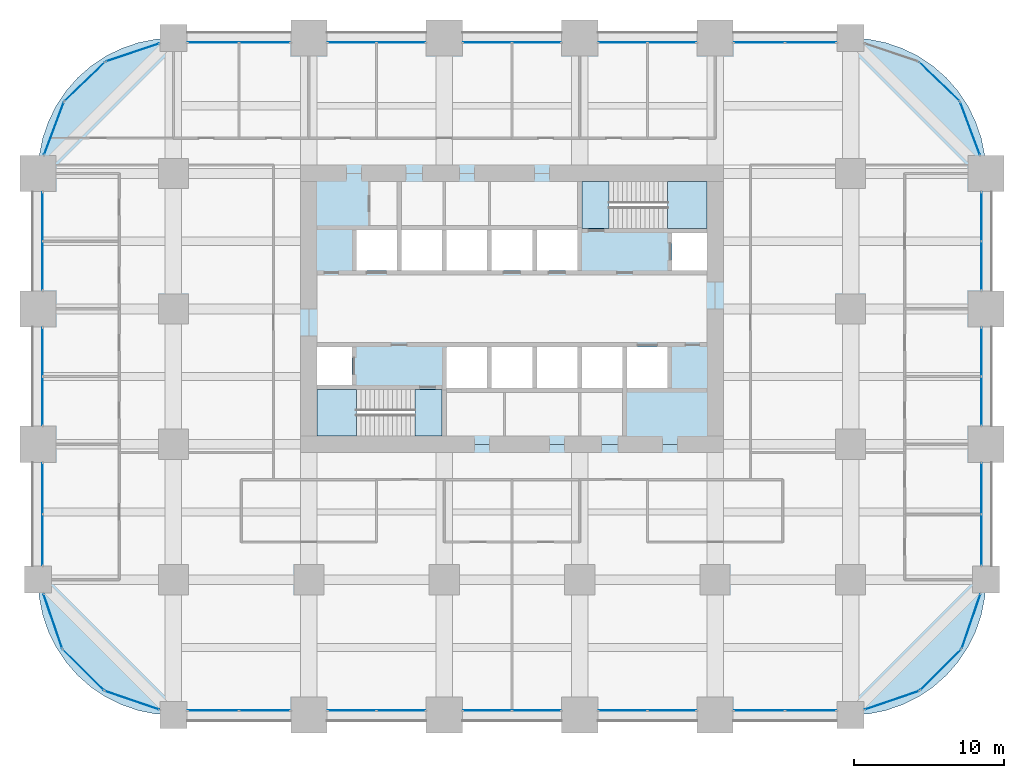
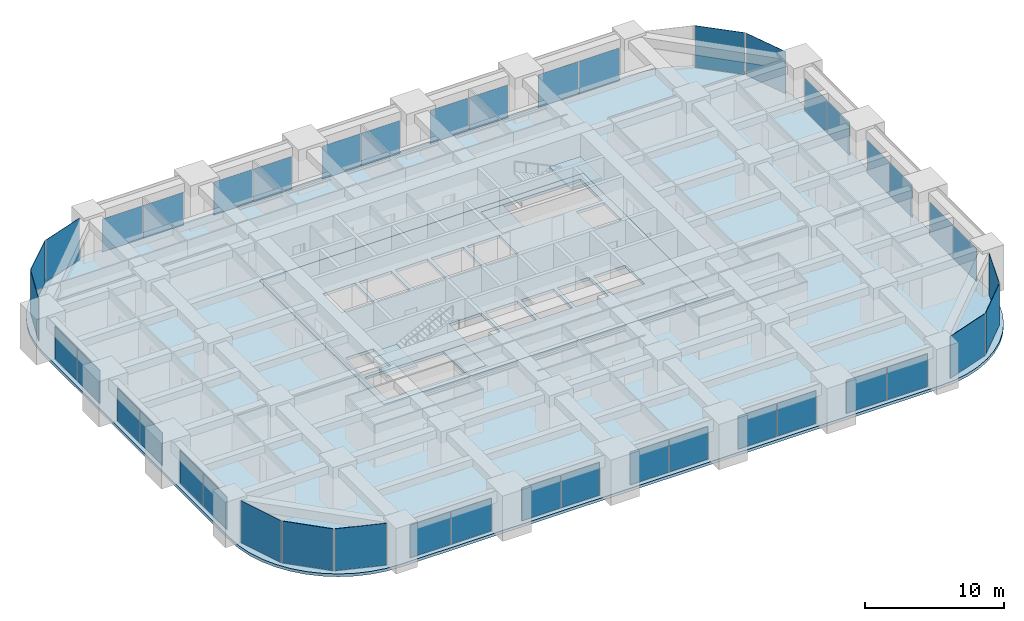
# One storey, part 35 of 41: 43 plates, 6 slabs, 29 elements without a shape of their own.
"""IFC4 building model written with IfcOpenShell, lengths in metres."""

from ifc_helpers import new_model, si_unit, direction, frame, origin, origin_2d, place, context, subcontext, project, spatial, polyline, rectangle, outline, extrude, material, layer, layer_set, type_object, element, aggregate, save


model = new_model("IFC4")

# Units and contexts
model_context = context("Model", 3, precision=1e-05, world=origin(), true_north=direction((0.0, 1.0)))
body_context = subcontext(model_context, "Body", "Model", "MODEL_VIEW")
ifc_project = project(units=[si_unit("LENGTHUNIT", "METRE"), si_unit("AREAUNIT", "SQUARE_METRE"), si_unit("VOLUMEUNIT", "CUBIC_METRE"), si_unit("PLANEANGLEUNIT", "RADIAN"), si_unit("MASSUNIT", "GRAM", prefix="KILO")], contexts=[model_context])

# Site, building, storey
site_placement = place(None, origin())
site = spatial("IfcSite", under=ifc_project, at=site_placement, CompositionType="ELEMENT")
building_placement = place(site_placement, origin())
building = spatial("IfcBuilding", under=site, at=building_placement, Name="Zorevar Civic Tower", CompositionType="ELEMENT")
storey_placement = place(building_placement, frame((0.0, 0.0, 113.0)))
storey = spatial("IfcBuildingStorey", under=building, at=storey_placement, Name="L27", CompositionType="ELEMENT", Elevation=113.0)

# Curtain wall, plates
ifc_material_1 = material(Name="Dark grey solar-control glass in black aluminium frame", Category="aluminium")
curtain_wall_type = type_object("IfcCurtainWallType", Name="Curtain wall CW3 mid zone", PredefinedType="NOTDEFINED", material=ifc_material_1)
curtain_wall_1_placement = place(storey_placement, origin())
curtain_wall_1 = element("IfcCurtainWall", 1, at=curtain_wall_1_placement, inside=storey, type_object=curtain_wall_type, Name="CW3 L27", PredefinedType="NOTDEFINED")
ifc_material_2 = material(Name="Dark grey solar-control glass", Category="glass")
ifc_layer_1 = layer(ifc_material_2, 0.030029296875)
ifc_layer_set_1 = layer_set([ifc_layer_1], Name="CW3 panel 30")
plate_type = type_object("IfcPlateType", Name="CW3 panel 30", PredefinedType="CURTAIN_PANEL", material=ifc_layer_set_1)
plate_1_placement = place(storey_placement, frame((11.639892578125, 0.300048828125, 0.06005859375), z_axis=(0.0, 0.0, 1.0), x_axis=(1.0, 0.0, 0.0)))
plate_1 = element("IfcPlate", 2, at=plate_1_placement, type_object=plate_type, Name="CW3 panel 1.1", PredefinedType="CURTAIN_PANEL", context=body_context, shape_type="SweptSolid", body=[
    extrude(rectangle(XDim=3.360107421875, YDim=0.030029296875, at=origin_2d()), origin(), (0.0, 0.0, 1.0), 2.889892578125),
])
plate_2_placement = place(storey_placement, frame((15.06005859375, 0.300048828125, 0.06005859375), z_axis=(0.0, 0.0, 1.0), x_axis=(1.0, 0.0, 0.0)))
plate_2 = element("IfcPlate", 3, at=plate_2_placement, type_object=plate_type, Name="CW3 panel 2.1", PredefinedType="CURTAIN_PANEL", context=body_context, shape_type="SweptSolid", body=[
    extrude(rectangle(XDim=3.360107421875, YDim=0.030029296875, at=origin_2d()), origin(), (0.0, 0.0, 1.0), 2.889892578125),
])
aggregate(curtain_wall_1, [plate_1, plate_2])

curtain_wall_2_placement = place(storey_placement, origin())
curtain_wall_2 = element("IfcCurtainWall", 4, at=curtain_wall_2_placement, inside=storey, type_object=curtain_wall_type, Name="CW3 L27", PredefinedType="NOTDEFINED")
plate_3_placement = place(storey_placement, frame((11.639892578125, 44.699951171875, 0.06005859375), z_axis=(0.0, 0.0, 1.0), x_axis=(1.0, 0.0, 0.0)))
plate_3 = element("IfcPlate", 5, at=plate_3_placement, type_object=plate_type, Name="CW3 panel 1.1", PredefinedType="CURTAIN_PANEL", context=body_context, shape_type="SweptSolid", body=[
    extrude(rectangle(XDim=3.360107421875, YDim=0.030029296875, at=origin_2d()), origin(), (0.0, 0.0, 1.0), 2.889892578125),
])
plate_4_placement = place(storey_placement, frame((15.06005859375, 44.699951171875, 0.06005859375), z_axis=(0.0, 0.0, 1.0), x_axis=(1.0, 0.0, 0.0)))
plate_4 = element("IfcPlate", 6, at=plate_4_placement, type_object=plate_type, Name="CW3 panel 2.1", PredefinedType="CURTAIN_PANEL", context=body_context, shape_type="SweptSolid", body=[
    extrude(rectangle(XDim=3.360107421875, YDim=0.030029296875, at=origin_2d()), origin(), (0.0, 0.0, 1.0), 2.889892578125),
])
aggregate(curtain_wall_2, [plate_3, plate_4])

curtain_wall_3_placement = place(storey_placement, origin())
curtain_wall_3 = element("IfcCurtainWall", 7, at=curtain_wall_3_placement, inside=storey, type_object=curtain_wall_type, Name="CW3 L27", PredefinedType="NOTDEFINED")
plate_5_placement = place(storey_placement, frame((20.864990234375, 0.300048828125, 0.06005859375), z_axis=(0.0, 0.0, 1.0), x_axis=(1.0, 0.0, 0.0)))
plate_5 = element("IfcPlate", 8, at=plate_5_placement, type_object=plate_type, Name="CW3 panel 1.1", PredefinedType="CURTAIN_PANEL", context=body_context, shape_type="SweptSolid", body=[
    extrude(rectangle(XDim=3.2099609375, YDim=0.030029296875, at=origin_2d()), origin(), (0.0, 0.0, 1.0), 2.889892578125),
])
plate_6_placement = place(storey_placement, frame((24.135009765625, 0.300048828125, 0.06005859375), z_axis=(0.0, 0.0, 1.0), x_axis=(1.0, 0.0, 0.0)))
plate_6 = element("IfcPlate", 9, at=plate_6_placement, type_object=plate_type, Name="CW3 panel 2.1", PredefinedType="CURTAIN_PANEL", context=body_context, shape_type="SweptSolid", body=[
    extrude(rectangle(XDim=3.2099609375, YDim=0.030029296875, at=origin_2d()), origin(), (0.0, 0.0, 1.0), 2.889892578125),
])
aggregate(curtain_wall_3, [plate_5, plate_6])

curtain_wall_4_placement = place(storey_placement, origin())
curtain_wall_4 = element("IfcCurtainWall", 10, at=curtain_wall_4_placement, inside=storey, type_object=curtain_wall_type, Name="CW3 L27", PredefinedType="NOTDEFINED")
plate_7_placement = place(storey_placement, frame((20.864990234375, 44.699951171875, 0.06005859375), z_axis=(0.0, 0.0, 1.0), x_axis=(1.0, 0.0, 0.0)))
plate_7 = element("IfcPlate", 11, at=plate_7_placement, type_object=plate_type, Name="CW3 panel 1.1", PredefinedType="CURTAIN_PANEL", context=body_context, shape_type="SweptSolid", body=[
    extrude(rectangle(XDim=3.2099609375, YDim=0.030029296875, at=origin_2d()), origin(), (0.0, 0.0, 1.0), 2.889892578125),
])
plate_8_placement = place(storey_placement, frame((24.135009765625, 44.699951171875, 0.06005859375), z_axis=(0.0, 0.0, 1.0), x_axis=(1.0, 0.0, 0.0)))
plate_8 = element("IfcPlate", 12, at=plate_8_placement, type_object=plate_type, Name="CW3 panel 2.1", PredefinedType="CURTAIN_PANEL", context=body_context, shape_type="SweptSolid", body=[
    extrude(rectangle(XDim=3.2099609375, YDim=0.030029296875, at=origin_2d()), origin(), (0.0, 0.0, 1.0), 2.889892578125),
])
aggregate(curtain_wall_4, [plate_7, plate_8])

curtain_wall_5_placement = place(storey_placement, origin())
curtain_wall_5 = element("IfcCurtainWall", 13, at=curtain_wall_5_placement, inside=storey, type_object=curtain_wall_type, Name="CW3 L27", PredefinedType="NOTDEFINED")
plate_9_placement = place(storey_placement, frame((29.864990234375, 0.300048828125, 0.06005859375), z_axis=(0.0, 0.0, 1.0), x_axis=(1.0, 0.0, 0.0)))
plate_9 = element("IfcPlate", 14, at=plate_9_placement, type_object=plate_type, Name="CW3 panel 1.1", PredefinedType="CURTAIN_PANEL", context=body_context, shape_type="SweptSolid", body=[
    extrude(rectangle(XDim=3.2099609375, YDim=0.030029296875, at=origin_2d()), origin(), (0.0, 0.0, 1.0), 2.889892578125),
])
plate_10_placement = place(storey_placement, frame((33.135009765625, 0.300048828125, 0.06005859375), z_axis=(0.0, 0.0, 1.0), x_axis=(1.0, 0.0, 0.0)))
plate_10 = element("IfcPlate", 15, at=plate_10_placement, type_object=plate_type, Name="CW3 panel 2.1", PredefinedType="CURTAIN_PANEL", context=body_context, shape_type="SweptSolid", body=[
    extrude(rectangle(XDim=3.2099609375, YDim=0.030029296875, at=origin_2d()), origin(), (0.0, 0.0, 1.0), 2.889892578125),
])
aggregate(curtain_wall_5, [plate_9, plate_10])

curtain_wall_6_placement = place(storey_placement, origin())
curtain_wall_6 = element("IfcCurtainWall", 16, at=curtain_wall_6_placement, inside=storey, type_object=curtain_wall_type, Name="CW3 L27", PredefinedType="NOTDEFINED")
plate_11_placement = place(storey_placement, frame((29.864990234375, 44.699951171875, 0.06005859375), z_axis=(0.0, 0.0, 1.0), x_axis=(1.0, 0.0, 0.0)))
plate_11 = element("IfcPlate", 17, at=plate_11_placement, type_object=plate_type, Name="CW3 panel 1.1", PredefinedType="CURTAIN_PANEL", context=body_context, shape_type="SweptSolid", body=[
    extrude(rectangle(XDim=3.2099609375, YDim=0.030029296875, at=origin_2d()), origin(), (0.0, 0.0, 1.0), 2.889892578125),
])
plate_12_placement = place(storey_placement, frame((33.135009765625, 44.699951171875, 0.06005859375), z_axis=(0.0, 0.0, 1.0), x_axis=(1.0, 0.0, 0.0)))
plate_12 = element("IfcPlate", 18, at=plate_12_placement, type_object=plate_type, Name="CW3 panel 2.1", PredefinedType="CURTAIN_PANEL", context=body_context, shape_type="SweptSolid", body=[
    extrude(rectangle(XDim=3.2099609375, YDim=0.030029296875, at=origin_2d()), origin(), (0.0, 0.0, 1.0), 2.889892578125),
])
aggregate(curtain_wall_6, [plate_11, plate_12])

curtain_wall_7_placement = place(storey_placement, origin())
curtain_wall_7 = element("IfcCurtainWall", 19, at=curtain_wall_7_placement, inside=storey, type_object=curtain_wall_type, Name="CW3 L27", PredefinedType="NOTDEFINED")
plate_13_placement = place(storey_placement, frame((38.864990234375, 0.300048828125, 0.06005859375), z_axis=(0.0, 0.0, 1.0), x_axis=(1.0, 0.0, 0.0)))
plate_13 = element("IfcPlate", 20, at=plate_13_placement, type_object=plate_type, Name="CW3 panel 1.1", PredefinedType="CURTAIN_PANEL", context=body_context, shape_type="SweptSolid", body=[
    extrude(rectangle(XDim=3.2099609375, YDim=0.030029296875, at=origin_2d()), origin(), (0.0, 0.0, 1.0), 2.889892578125),
])
plate_14_placement = place(storey_placement, frame((42.135009765625, 0.300048828125, 0.06005859375), z_axis=(0.0, 0.0, 1.0), x_axis=(1.0, 0.0, 0.0)))
plate_14 = element("IfcPlate", 21, at=plate_14_placement, type_object=plate_type, Name="CW3 panel 2.1", PredefinedType="CURTAIN_PANEL", context=body_context, shape_type="SweptSolid", body=[
    extrude(rectangle(XDim=3.2099609375, YDim=0.030029296875, at=origin_2d()), origin(), (0.0, 0.0, 1.0), 2.889892578125),
])
aggregate(curtain_wall_7, [plate_13, plate_14])

curtain_wall_8_placement = place(storey_placement, origin())
curtain_wall_8 = element("IfcCurtainWall", 22, at=curtain_wall_8_placement, inside=storey, type_object=curtain_wall_type, Name="CW3 L27", PredefinedType="NOTDEFINED")
plate_15_placement = place(storey_placement, frame((38.864990234375, 44.699951171875, 0.06005859375), z_axis=(0.0, 0.0, 1.0), x_axis=(1.0, 0.0, 0.0)))
plate_15 = element("IfcPlate", 23, at=plate_15_placement, type_object=plate_type, Name="CW3 panel 1.1", PredefinedType="CURTAIN_PANEL", context=body_context, shape_type="SweptSolid", body=[
    extrude(rectangle(XDim=3.2099609375, YDim=0.030029296875, at=origin_2d()), origin(), (0.0, 0.0, 1.0), 2.889892578125),
])
plate_16_placement = place(storey_placement, frame((42.135009765625, 44.699951171875, 0.06005859375), z_axis=(0.0, 0.0, 1.0), x_axis=(1.0, 0.0, 0.0)))
plate_16 = element("IfcPlate", 24, at=plate_16_placement, type_object=plate_type, Name="CW3 panel 2.1", PredefinedType="CURTAIN_PANEL", context=body_context, shape_type="SweptSolid", body=[
    extrude(rectangle(XDim=3.2099609375, YDim=0.030029296875, at=origin_2d()), origin(), (0.0, 0.0, 1.0), 2.889892578125),
])
aggregate(curtain_wall_8, [plate_15, plate_16])

curtain_wall_9_placement = place(storey_placement, origin())
curtain_wall_9 = element("IfcCurtainWall", 25, at=curtain_wall_9_placement, inside=storey, type_object=curtain_wall_type, Name="CW3 L27", PredefinedType="NOTDEFINED")
plate_17_placement = place(storey_placement, frame((47.93994140625, 0.300048828125, 0.06005859375), z_axis=(0.0, 0.0, 1.0), x_axis=(1.0, 0.0, 0.0)))
plate_17 = element("IfcPlate", 26, at=plate_17_placement, type_object=plate_type, Name="CW3 panel 1.1", PredefinedType="CURTAIN_PANEL", context=body_context, shape_type="SweptSolid", body=[
    extrude(rectangle(XDim=3.360107421875, YDim=0.030029296875, at=origin_2d()), origin(), (0.0, 0.0, 1.0), 2.889892578125),
])
plate_18_placement = place(storey_placement, frame((51.360107421875, 0.300048828125, 0.06005859375), z_axis=(0.0, 0.0, 1.0), x_axis=(1.0, 0.0, 0.0)))
plate_18 = element("IfcPlate", 27, at=plate_18_placement, type_object=plate_type, Name="CW3 panel 2.1", PredefinedType="CURTAIN_PANEL", context=body_context, shape_type="SweptSolid", body=[
    extrude(rectangle(XDim=3.360107421875, YDim=0.030029296875, at=origin_2d()), origin(), (0.0, 0.0, 1.0), 2.889892578125),
])
aggregate(curtain_wall_9, [plate_17, plate_18])

curtain_wall_10_placement = place(storey_placement, origin())
curtain_wall_10 = element("IfcCurtainWall", 28, at=curtain_wall_10_placement, inside=storey, type_object=curtain_wall_type, Name="CW3 L27", PredefinedType="NOTDEFINED")
plate_19_placement = place(storey_placement, frame((47.93994140625, 44.699951171875, 0.06005859375), z_axis=(0.0, 0.0, 1.0), x_axis=(1.0, 0.0, 0.0)))
plate_19 = element("IfcPlate", 29, at=plate_19_placement, type_object=plate_type, Name="CW3 panel 1.1", PredefinedType="CURTAIN_PANEL", context=body_context, shape_type="SweptSolid", body=[
    extrude(rectangle(XDim=3.360107421875, YDim=0.030029296875, at=origin_2d()), origin(), (0.0, 0.0, 1.0), 2.889892578125),
])
plate_20_placement = place(storey_placement, frame((51.360107421875, 44.699951171875, 0.06005859375), z_axis=(0.0, 0.0, 1.0), x_axis=(1.0, 0.0, 0.0)))
plate_20 = element("IfcPlate", 30, at=plate_20_placement, type_object=plate_type, Name="CW3 panel 2.1", PredefinedType="CURTAIN_PANEL", context=body_context, shape_type="SweptSolid", body=[
    extrude(rectangle(XDim=3.360107421875, YDim=0.030029296875, at=origin_2d()), origin(), (0.0, 0.0, 1.0), 2.889892578125),
])
aggregate(curtain_wall_10, [plate_19, plate_20])

curtain_wall_11_placement = place(storey_placement, origin())
curtain_wall_11 = element("IfcCurtainWall", 31, at=curtain_wall_11_placement, inside=storey, type_object=curtain_wall_type, Name="CW3 L27", PredefinedType="NOTDEFINED")
plate_21_placement = place(storey_placement, frame((0.300048828125, 11.639892578125, 0.06005859375), z_axis=(0.0, 0.0, 1.0), x_axis=(0.0, 1.0, 0.0)))
plate_21 = element("IfcPlate", 32, at=plate_21_placement, type_object=plate_type, Name="CW3 panel 1.1", PredefinedType="CURTAIN_PANEL", context=body_context, shape_type="SweptSolid", body=[
    extrude(rectangle(XDim=3.360107421875, YDim=0.030029296875, at=origin_2d()), origin(), (0.0, 0.0, 1.0), 2.889892578125),
])
plate_22_placement = place(storey_placement, frame((0.300048828125, 15.06005859375, 0.06005859375), z_axis=(0.0, 0.0, 1.0), x_axis=(0.0, 1.0, 0.0)))
plate_22 = element("IfcPlate", 33, at=plate_22_placement, type_object=plate_type, Name="CW3 panel 2.1", PredefinedType="CURTAIN_PANEL", context=body_context, shape_type="SweptSolid", body=[
    extrude(rectangle(XDim=3.360107421875, YDim=0.030029296875, at=origin_2d()), origin(), (0.0, 0.0, 1.0), 2.889892578125),
])
aggregate(curtain_wall_11, [plate_21, plate_22])

curtain_wall_12_placement = place(storey_placement, origin())
curtain_wall_12 = element("IfcCurtainWall", 34, at=curtain_wall_12_placement, inside=storey, type_object=curtain_wall_type, Name="CW3 L27", PredefinedType="NOTDEFINED")
plate_23_placement = place(storey_placement, frame((62.699951171875, 11.639892578125, 0.06005859375), z_axis=(0.0, 0.0, 1.0), x_axis=(0.0, 1.0, 0.0)))
plate_23 = element("IfcPlate", 35, at=plate_23_placement, type_object=plate_type, Name="CW3 panel 1.1", PredefinedType="CURTAIN_PANEL", context=body_context, shape_type="SweptSolid", body=[
    extrude(rectangle(XDim=3.360107421875, YDim=0.030029296875, at=origin_2d()), origin(), (0.0, 0.0, 1.0), 2.889892578125),
])
plate_24_placement = place(storey_placement, frame((62.699951171875, 15.06005859375, 0.06005859375), z_axis=(0.0, 0.0, 1.0), x_axis=(0.0, 1.0, 0.0)))
plate_24 = element("IfcPlate", 36, at=plate_24_placement, type_object=plate_type, Name="CW3 panel 2.1", PredefinedType="CURTAIN_PANEL", context=body_context, shape_type="SweptSolid", body=[
    extrude(rectangle(XDim=3.360107421875, YDim=0.030029296875, at=origin_2d()), origin(), (0.0, 0.0, 1.0), 2.889892578125),
])
aggregate(curtain_wall_12, [plate_23, plate_24])

curtain_wall_13_placement = place(storey_placement, origin())
curtain_wall_13 = element("IfcCurtainWall", 37, at=curtain_wall_13_placement, inside=storey, type_object=curtain_wall_type, Name="CW3 L27", PredefinedType="NOTDEFINED")
plate_25_placement = place(storey_placement, frame((0.300048828125, 20.864990234375, 0.06005859375), z_axis=(0.0, 0.0, 1.0), x_axis=(0.0, 1.0, 0.0)))
plate_25 = element("IfcPlate", 38, at=plate_25_placement, type_object=plate_type, Name="CW3 panel 1.1", PredefinedType="CURTAIN_PANEL", context=body_context, shape_type="SweptSolid", body=[
    extrude(rectangle(XDim=3.2099609375, YDim=0.030029296875, at=origin_2d()), origin(), (0.0, 0.0, 1.0), 2.889892578125),
])
plate_26_placement = place(storey_placement, frame((0.300048828125, 24.135009765625, 0.06005859375), z_axis=(0.0, 0.0, 1.0), x_axis=(0.0, 1.0, 0.0)))
plate_26 = element("IfcPlate", 39, at=plate_26_placement, type_object=plate_type, Name="CW3 panel 2.1", PredefinedType="CURTAIN_PANEL", context=body_context, shape_type="SweptSolid", body=[
    extrude(rectangle(XDim=3.2099609375, YDim=0.030029296875, at=origin_2d()), origin(), (0.0, 0.0, 1.0), 2.889892578125),
])
aggregate(curtain_wall_13, [plate_25, plate_26])

curtain_wall_14_placement = place(storey_placement, origin())
curtain_wall_14 = element("IfcCurtainWall", 40, at=curtain_wall_14_placement, inside=storey, type_object=curtain_wall_type, Name="CW3 L27", PredefinedType="NOTDEFINED")
plate_27_placement = place(storey_placement, frame((62.699951171875, 20.864990234375, 0.06005859375), z_axis=(0.0, 0.0, 1.0), x_axis=(0.0, 1.0, 0.0)))
plate_27 = element("IfcPlate", 41, at=plate_27_placement, type_object=plate_type, Name="CW3 panel 1.1", PredefinedType="CURTAIN_PANEL", context=body_context, shape_type="SweptSolid", body=[
    extrude(rectangle(XDim=3.2099609375, YDim=0.030029296875, at=origin_2d()), origin(), (0.0, 0.0, 1.0), 2.889892578125),
])
plate_28_placement = place(storey_placement, frame((62.699951171875, 24.135009765625, 0.06005859375), z_axis=(0.0, 0.0, 1.0), x_axis=(0.0, 1.0, 0.0)))
plate_28 = element("IfcPlate", 42, at=plate_28_placement, type_object=plate_type, Name="CW3 panel 2.1", PredefinedType="CURTAIN_PANEL", context=body_context, shape_type="SweptSolid", body=[
    extrude(rectangle(XDim=3.2099609375, YDim=0.030029296875, at=origin_2d()), origin(), (0.0, 0.0, 1.0), 2.889892578125),
])
aggregate(curtain_wall_14, [plate_27, plate_28])

curtain_wall_15_placement = place(storey_placement, origin())
curtain_wall_15 = element("IfcCurtainWall", 43, at=curtain_wall_15_placement, inside=storey, type_object=curtain_wall_type, Name="CW3 L27", PredefinedType="NOTDEFINED")
plate_29_placement = place(storey_placement, frame((0.300048828125, 29.864990234375, 0.06005859375), z_axis=(0.0, 0.0, 1.0), x_axis=(0.0, 1.0, 0.0)))
plate_29 = element("IfcPlate", 44, at=plate_29_placement, type_object=plate_type, Name="CW3 panel 1.1", PredefinedType="CURTAIN_PANEL", context=body_context, shape_type="SweptSolid", body=[
    extrude(rectangle(XDim=3.2099609375, YDim=0.030029296875, at=origin_2d()), origin(), (0.0, 0.0, 1.0), 2.889892578125),
])
plate_30_placement = place(storey_placement, frame((0.300048828125, 33.135009765625, 0.06005859375), z_axis=(0.0, 0.0, 1.0), x_axis=(0.0, 1.0, 0.0)))
plate_30 = element("IfcPlate", 45, at=plate_30_placement, type_object=plate_type, Name="CW3 panel 2.1", PredefinedType="CURTAIN_PANEL", context=body_context, shape_type="SweptSolid", body=[
    extrude(rectangle(XDim=3.2099609375, YDim=0.030029296875, at=origin_2d()), origin(), (0.0, 0.0, 1.0), 2.889892578125),
])
aggregate(curtain_wall_15, [plate_29, plate_30])

curtain_wall_16_placement = place(storey_placement, origin())
curtain_wall_16 = element("IfcCurtainWall", 46, at=curtain_wall_16_placement, inside=storey, type_object=curtain_wall_type, Name="CW3 L27", PredefinedType="NOTDEFINED")
plate_31_placement = place(storey_placement, frame((62.699951171875, 29.864990234375, 0.06005859375), z_axis=(0.0, 0.0, 1.0), x_axis=(0.0, 1.0, 0.0)))
plate_31 = element("IfcPlate", 47, at=plate_31_placement, type_object=plate_type, Name="CW3 panel 1.1", PredefinedType="CURTAIN_PANEL", context=body_context, shape_type="SweptSolid", body=[
    extrude(rectangle(XDim=3.2099609375, YDim=0.030029296875, at=origin_2d()), origin(), (0.0, 0.0, 1.0), 2.889892578125),
])
plate_32_placement = place(storey_placement, frame((62.699951171875, 33.135009765625, 0.06005859375), z_axis=(0.0, 0.0, 1.0), x_axis=(0.0, 1.0, 0.0)))
plate_32 = element("IfcPlate", 48, at=plate_32_placement, type_object=plate_type, Name="CW3 panel 2.1", PredefinedType="CURTAIN_PANEL", context=body_context, shape_type="SweptSolid", body=[
    extrude(rectangle(XDim=3.2099609375, YDim=0.030029296875, at=origin_2d()), origin(), (0.0, 0.0, 1.0), 2.889892578125),
])
aggregate(curtain_wall_16, [plate_31, plate_32])

# Curtain wall, plate
curtain_wall_17_placement = place(storey_placement, origin())
curtain_wall_17 = element("IfcCurtainWall", 49, at=curtain_wall_17_placement, inside=storey, type_object=curtain_wall_type, Name="CW3 L27", PredefinedType="NOTDEFINED")
plate_33_placement = place(storey_placement, frame((56.75390625, 0.9833984375, 0.06005859375), z_axis=(0.0, 0.0, 1.0), x_axis=(0.945755772794, 0.324878466857, 0.0)))
plate_33 = element("IfcPlate", 50, at=plate_33_placement, type_object=plate_type, Name="CW3 panel 1.1", PredefinedType="CURTAIN_PANEL", context=body_context, shape_type="SweptSolid", body=[
    extrude(rectangle(XDim=3.80029296875, YDim=0.030029296875, at=origin_2d()), origin(), (0.0, 0.0, 1.0), 3.68994140625),
])
aggregate(curtain_wall_17, [plate_33])

curtain_wall_18_placement = place(storey_placement, origin())
curtain_wall_18 = element("IfcCurtainWall", 51, at=curtain_wall_18_placement, inside=storey, type_object=curtain_wall_type, Name="CW3 L27", PredefinedType="NOTDEFINED")
plate_34_placement = place(storey_placement, frame((59.99365234375, 3.00634765625, 0.06005859375), z_axis=(0.0, 0.0, 1.0), x_axis=(0.707106781187, 0.707106781187, 0.0)))
plate_34 = element("IfcPlate", 52, at=plate_34_placement, type_object=plate_type, Name="CW3 panel 1.1", PredefinedType="CURTAIN_PANEL", context=body_context, shape_type="SweptSolid", body=[
    extrude(rectangle(XDim=3.80029296875, YDim=0.030029296875, at=origin_2d()), origin(), (0.0, 0.0, 1.0), 3.68994140625),
])
aggregate(curtain_wall_18, [plate_34])

curtain_wall_19_placement = place(storey_placement, origin())
curtain_wall_19 = element("IfcCurtainWall", 53, at=curtain_wall_19_placement, inside=storey, type_object=curtain_wall_type, Name="CW3 L27", PredefinedType="NOTDEFINED")
plate_35_placement = place(storey_placement, frame((62.0166015625, 6.24609375, 0.06005859375), z_axis=(0.0, 0.0, 1.0), x_axis=(0.324878466857, 0.945755772794, 0.0)))
plate_35 = element("IfcPlate", 54, at=plate_35_placement, type_object=plate_type, Name="CW3 panel 1.1", PredefinedType="CURTAIN_PANEL", context=body_context, shape_type="SweptSolid", body=[
    extrude(rectangle(XDim=3.80029296875, YDim=0.030029296875, at=origin_2d()), origin(), (0.0, 0.0, 1.0), 3.68994140625),
])
aggregate(curtain_wall_19, [plate_35])

curtain_wall_20_placement = place(storey_placement, origin())
curtain_wall_20 = element("IfcCurtainWall", 55, at=curtain_wall_20_placement, inside=storey, type_object=curtain_wall_type, Name="CW3 L27", PredefinedType="NOTDEFINED")
plate_36_placement = place(storey_placement, frame((61.94384765625, 38.988525390625, 0.06005859375), z_axis=(0.0, 0.0, 1.0), x_axis=(-0.352131520999, 0.935950528564, 0.0)))
plate_36 = element("IfcPlate", 56, at=plate_36_placement, type_object=plate_type, Name="CW3 panel 1.1", PredefinedType="CURTAIN_PANEL", context=body_context, shape_type="SweptSolid", body=[
    extrude(rectangle(XDim=3.7021484375, YDim=0.030029296875, at=origin_2d()), origin(), (0.0, 0.0, 1.0), 3.68994140625),
])
aggregate(curtain_wall_20, [plate_36])

curtain_wall_21_placement = place(storey_placement, origin())
curtain_wall_21 = element("IfcCurtainWall", 57, at=curtain_wall_21_placement, inside=storey, type_object=curtain_wall_type, Name="CW3 L27", PredefinedType="NOTDEFINED")
plate_37_placement = place(storey_placement, frame((59.896484375, 42.10498046875, 0.06005859375), z_axis=(0.0, 0.0, 1.0), x_axis=(-0.719281160023, 0.694719089155, 0.0)))
plate_37 = element("IfcPlate", 58, at=plate_37_placement, type_object=plate_type, Name="CW3 panel 1.1", PredefinedType="CURTAIN_PANEL", context=body_context, shape_type="SweptSolid", body=[
    extrude(rectangle(XDim=3.7021484375, YDim=0.030029296875, at=origin_2d()), origin(), (0.0, 0.0, 1.0), 3.68994140625),
])
aggregate(curtain_wall_21, [plate_37])

curtain_wall_22_placement = place(storey_placement, origin())
curtain_wall_22 = element("IfcCurtainWall", 59, at=curtain_wall_22_placement, inside=storey, type_object=curtain_wall_type, Name="CW3 L27", PredefinedType="NOTDEFINED")
plate_38_placement = place(storey_placement, frame((6.2890625, 44.04296875, 0.06005859375), z_axis=(0.0, 0.0, 1.0), x_axis=(-0.947615765406, -0.319412525043, 0.0)))
plate_38 = element("IfcPlate", 60, at=plate_38_placement, type_object=plate_type, Name="CW3 panel 1.1", PredefinedType="CURTAIN_PANEL", context=body_context, shape_type="SweptSolid", body=[
    extrude(rectangle(XDim=3.7021484375, YDim=0.030029296875, at=origin_2d()), origin(), (0.0, 0.0, 1.0), 3.68994140625),
])
aggregate(curtain_wall_22, [plate_38])

curtain_wall_23_placement = place(storey_placement, origin())
curtain_wall_23 = element("IfcCurtainWall", 61, at=curtain_wall_23_placement, inside=storey, type_object=curtain_wall_type, Name="CW3 L27", PredefinedType="NOTDEFINED")
plate_39_placement = place(storey_placement, frame((3.103515625, 42.10498046875, 0.06005859375), z_axis=(0.0, 0.0, 1.0), x_axis=(-0.719281160023, -0.694719089155, 0.0)))
plate_39 = element("IfcPlate", 62, at=plate_39_placement, type_object=plate_type, Name="CW3 panel 1.1", PredefinedType="CURTAIN_PANEL", context=body_context, shape_type="SweptSolid", body=[
    extrude(rectangle(XDim=3.7021484375, YDim=0.030029296875, at=origin_2d()), origin(), (0.0, 0.0, 1.0), 3.68994140625),
])
aggregate(curtain_wall_23, [plate_39])

curtain_wall_24_placement = place(storey_placement, origin())
curtain_wall_24 = element("IfcCurtainWall", 63, at=curtain_wall_24_placement, inside=storey, type_object=curtain_wall_type, Name="CW3 L27", PredefinedType="NOTDEFINED")
plate_40_placement = place(storey_placement, frame((1.05615234375, 38.988525390625, 0.06005859375), z_axis=(0.0, 0.0, 1.0), x_axis=(-0.352131520999, -0.935950528564, 0.0)))
plate_40 = element("IfcPlate", 64, at=plate_40_placement, type_object=plate_type, Name="CW3 panel 1.1", PredefinedType="CURTAIN_PANEL", context=body_context, shape_type="SweptSolid", body=[
    extrude(rectangle(XDim=3.7021484375, YDim=0.030029296875, at=origin_2d()), origin(), (0.0, 0.0, 1.0), 3.68994140625),
])
aggregate(curtain_wall_24, [plate_40])

curtain_wall_25_placement = place(storey_placement, origin())
curtain_wall_25 = element("IfcCurtainWall", 65, at=curtain_wall_25_placement, inside=storey, type_object=curtain_wall_type, Name="CW3 L27", PredefinedType="NOTDEFINED")
plate_41_placement = place(storey_placement, frame((0.9833984375, 6.24609375, 0.06005859375), z_axis=(0.0, 0.0, 1.0), x_axis=(0.324878466857, -0.945755772794, 0.0)))
plate_41 = element("IfcPlate", 66, at=plate_41_placement, type_object=plate_type, Name="CW3 panel 1.1", PredefinedType="CURTAIN_PANEL", context=body_context, shape_type="SweptSolid", body=[
    extrude(rectangle(XDim=3.80029296875, YDim=0.030029296875, at=origin_2d()), origin(), (0.0, 0.0, 1.0), 3.68994140625),
])
aggregate(curtain_wall_25, [plate_41])

curtain_wall_26_placement = place(storey_placement, origin())
curtain_wall_26 = element("IfcCurtainWall", 67, at=curtain_wall_26_placement, inside=storey, type_object=curtain_wall_type, Name="CW3 L27", PredefinedType="NOTDEFINED")
plate_42_placement = place(storey_placement, frame((3.00634765625, 3.00634765625, 0.06005859375), z_axis=(0.0, 0.0, 1.0), x_axis=(0.707106781187, -0.707106781187, 0.0)))
plate_42 = element("IfcPlate", 68, at=plate_42_placement, type_object=plate_type, Name="CW3 panel 1.1", PredefinedType="CURTAIN_PANEL", context=body_context, shape_type="SweptSolid", body=[
    extrude(rectangle(XDim=3.80029296875, YDim=0.030029296875, at=origin_2d()), origin(), (0.0, 0.0, 1.0), 3.68994140625),
])
aggregate(curtain_wall_26, [plate_42])

curtain_wall_27_placement = place(storey_placement, origin())
curtain_wall_27 = element("IfcCurtainWall", 69, at=curtain_wall_27_placement, inside=storey, type_object=curtain_wall_type, Name="CW3 L27", PredefinedType="NOTDEFINED")
plate_43_placement = place(storey_placement, frame((6.24609375, 0.9833984375, 0.06005859375), z_axis=(0.0, 0.0, 1.0), x_axis=(0.945755772794, -0.324878466857, 0.0)))
plate_43 = element("IfcPlate", 70, at=plate_43_placement, type_object=plate_type, Name="CW3 panel 1.1", PredefinedType="CURTAIN_PANEL", context=body_context, shape_type="SweptSolid", body=[
    extrude(rectangle(XDim=3.80029296875, YDim=0.030029296875, at=origin_2d()), origin(), (0.0, 0.0, 1.0), 3.68994140625),
])
aggregate(curtain_wall_27, [plate_43])

# Slabs
ifc_material_3 = material(Name="Concrete C40/50", Category="concrete")
ifc_layer_2 = layer(ifc_material_3, 0.25)
ifc_layer_set_2 = layer_set([ifc_layer_2], Name="Floor slab 250")
slab_type_1 = type_object("IfcSlabType", Name="Floor slab 250", PredefinedType="FLOOR", material=ifc_layer_set_2)
slab_1_placement = place(storey_placement, frame((0.0, 0.0, -0.25)))
element("IfcSlab", 71, at=slab_1_placement, inside=storey, type_object=slab_type_1, Name="Floor slab L27", PredefinedType="FLOOR", context=body_context, shape_type="SweptSolid", body=[
    extrude(outline(polyline([(54.0, 0.0), (55.1748046875, 0.076904296875), (56.329345703125, 0.306640625), (57.444091796875, 0.68505859375), (58.5, 1.205810546875), (59.478759765625, 1.85986328125), (60.364013671875, 2.635986328125), (61.14013671875, 3.521240234375), (61.794189453125, 4.5), (62.31494140625, 5.555908203125), (62.693359375, 6.670654296875), (62.923095703125, 7.8251953125), (63.0, 9.0), (63.0, 36.0), (62.923095703125, 37.1748046875), (62.693359375, 38.329345703125), (62.31494140625, 39.444091796875), (61.794189453125, 40.5), (61.14013671875, 41.478759765625), (60.364013671875, 42.364013671875), (59.478759765625, 43.14013671875), (58.5, 43.794189453125), (57.444091796875, 44.31494140625), (56.329345703125, 44.693359375), (55.1748046875, 44.923095703125), (54.0, 45.0), (9.0, 45.0), (7.8251953125, 44.923095703125), (6.670654296875, 44.693359375), (5.555908203125, 44.31494140625), (4.5, 43.794189453125), (3.521240234375, 43.14013671875), (2.635986328125, 42.364013671875), (1.85986328125, 41.478759765625), (1.205810546875, 40.5), (0.68505859375, 39.444091796875), (0.306640625, 38.329345703125), (0.076904296875, 37.1748046875), (0.0, 36.0), (0.0, 9.0), (0.076904296875, 7.8251953125), (0.306640625, 6.670654296875), (0.68505859375, 5.555908203125), (1.205810546875, 4.5), (1.85986328125, 3.521240234375), (2.635986328125, 2.635986328125), (3.521240234375, 1.85986328125), (4.5, 1.205810546875), (5.555908203125, 0.68505859375), (6.670654296875, 0.306640625), (7.8251953125, 0.076904296875), (9.0, 0.0), (54.0, 0.0)]), holes=[polyline([(18.0, 18.0), (45.0, 18.0), (45.0, 36.0), (18.0, 36.0), (18.0, 18.0)])]), origin(), (0.0, 0.0, 1.0), 0.25),
])
slab_2_placement = place(storey_placement, frame((0.0, 0.0, -0.25)))
element("IfcSlab", 72, at=slab_2_placement, inside=storey, type_object=slab_type_1, Name="Core floor L27", PredefinedType="FLOOR", context=body_context, shape_type="SweptSolid", body=[
    extrude(outline(polyline([(18.0, 18.0), (45.0, 18.0), (45.0, 36.0), (18.0, 36.0), (18.0, 18.0)]), holes=[polyline([(18.550048828125, 18.550048828125), (26.85009765625, 18.550048828125), (26.85009765625, 21.64990234375), (18.550048828125, 21.64990234375), (18.550048828125, 18.550048828125)]), polyline([(36.14990234375, 32.35009765625), (44.449951171875, 32.35009765625), (44.449951171875, 35.449951171875), (36.14990234375, 35.449951171875), (36.14990234375, 32.35009765625)]), polyline([(18.550048828125, 21.949951171875), (20.85009765625, 21.949951171875), (20.85009765625, 24.449951171875), (18.550048828125, 24.449951171875), (18.550048828125, 21.949951171875)]), polyline([(42.14990234375, 29.550048828125), (44.449951171875, 29.550048828125), (44.449951171875, 32.050048828125), (42.14990234375, 32.050048828125), (42.14990234375, 29.550048828125)]), polyline([(27.14990234375, 21.75), (29.85009765625, 21.75), (29.85009765625, 24.449951171875), (27.14990234375, 24.449951171875), (27.14990234375, 21.75)]), polyline([(33.14990234375, 29.550048828125), (35.85009765625, 29.550048828125), (35.85009765625, 32.25), (33.14990234375, 32.25), (33.14990234375, 29.550048828125)]), polyline([(30.14990234375, 21.75), (32.85009765625, 21.75), (32.85009765625, 24.449951171875), (30.14990234375, 24.449951171875), (30.14990234375, 21.75)]), polyline([(30.14990234375, 29.550048828125), (32.85009765625, 29.550048828125), (32.85009765625, 32.25), (30.14990234375, 32.25), (30.14990234375, 29.550048828125)]), polyline([(33.14990234375, 21.75), (35.85009765625, 21.75), (35.85009765625, 24.449951171875), (33.14990234375, 24.449951171875), (33.14990234375, 21.75)]), polyline([(27.14990234375, 29.550048828125), (29.85009765625, 29.550048828125), (29.85009765625, 32.25), (27.14990234375, 32.25), (27.14990234375, 29.550048828125)]), polyline([(36.14990234375, 21.75), (38.85009765625, 21.75), (38.85009765625, 24.449951171875), (36.14990234375, 24.449951171875), (36.14990234375, 21.75)]), polyline([(24.14990234375, 29.550048828125), (26.85009765625, 29.550048828125), (26.85009765625, 32.25), (24.14990234375, 32.25), (24.14990234375, 29.550048828125)]), polyline([(39.14990234375, 21.75), (41.85009765625, 21.75), (41.85009765625, 24.449951171875), (39.14990234375, 24.449951171875), (39.14990234375, 21.75)]), polyline([(21.14990234375, 29.550048828125), (23.85009765625, 29.550048828125), (23.85009765625, 32.25), (21.14990234375, 32.25), (21.14990234375, 29.550048828125)])]), origin(), (0.0, 0.0, 1.0), 0.25),
])

# Stair, slabs
ifc_material_4 = material(Name="Precast concrete C40/50", Category="concrete")
stair_type = type_object("IfcStairType", Name="Stair ST 28R", PredefinedType="HALF_TURN_STAIR", material=ifc_material_4)
stair_1_placement = place(storey_placement, origin())
stair_1 = element("IfcStair", 73, at=stair_1_placement, inside=storey, type_object=stair_type, Name="Stair ST1 L27", PredefinedType="HALF_TURN_STAIR")
ifc_material_5 = material(Name="Concrete C40/50", Category="concrete")
ifc_layer_3 = layer(ifc_material_5, 0.199951171875)
ifc_layer_set_3 = layer_set([ifc_layer_3], Name="Stair landing 200")
slab_type_2 = type_object("IfcSlabType", Name="Stair landing 200", PredefinedType="LANDING", material=ifc_layer_set_3)
slab_3_placement = place(storey_placement, frame((0.0, 0.0, -0.199951171875)))
slab_3 = element("IfcSlab", 74, at=slab_3_placement, type_object=slab_type_2, Name="ST1 landing 1", PredefinedType="LANDING", context=body_context, shape_type="SweptSolid", body=[
    extrude(outline(polyline([(25.050048828125, 18.550048828125), (26.85009765625, 18.550048828125), (26.85009765625, 21.64990234375), (25.050048828125, 21.64990234375), (25.050048828125, 18.550048828125)])), origin(), (0.0, 0.0, 1.0), 0.199951171875),
])
slab_4_placement = place(storey_placement, frame((0.0, 0.0, 1.800048828125)))
slab_4 = element("IfcSlab", 75, at=slab_4_placement, type_object=slab_type_2, Name="ST1 landing 2", PredefinedType="LANDING", context=body_context, shape_type="SweptSolid", body=[
    extrude(outline(polyline([(18.550048828125, 18.550048828125), (21.14990234375, 18.550048828125), (21.14990234375, 21.64990234375), (18.550048828125, 21.64990234375), (18.550048828125, 18.550048828125)])), origin(), (0.0, 0.0, 1.0), 0.199951171875),
])
aggregate(stair_1, [slab_3, slab_4])

stair_2_placement = place(storey_placement, origin())
stair_2 = element("IfcStair", 76, at=stair_2_placement, inside=storey, type_object=stair_type, Name="Stair ST2 L27", PredefinedType="HALF_TURN_STAIR")
slab_5_placement = place(storey_placement, frame((0.0, 0.0, -0.199951171875)))
slab_5 = element("IfcSlab", 77, at=slab_5_placement, type_object=slab_type_2, Name="ST2 landing 1", PredefinedType="LANDING", context=body_context, shape_type="SweptSolid", body=[
    extrude(outline(polyline([(37.949951171875, 32.35009765625), (36.14990234375, 32.35009765625), (36.14990234375, 35.449951171875), (37.949951171875, 35.449951171875), (37.949951171875, 32.35009765625)])), origin(), (0.0, 0.0, 1.0), 0.199951171875),
])
slab_6_placement = place(storey_placement, frame((0.0, 0.0, 1.800048828125)))
slab_6 = element("IfcSlab", 78, at=slab_6_placement, type_object=slab_type_2, Name="ST2 landing 2", PredefinedType="LANDING", context=body_context, shape_type="SweptSolid", body=[
    extrude(outline(polyline([(44.449951171875, 32.35009765625), (41.85009765625, 32.35009765625), (41.85009765625, 35.449951171875), (44.449951171875, 35.449951171875), (44.449951171875, 32.35009765625)])), origin(), (0.0, 0.0, 1.0), 0.199951171875),
])
aggregate(stair_2, [slab_5, slab_6])

save(model, "model.ifc")
